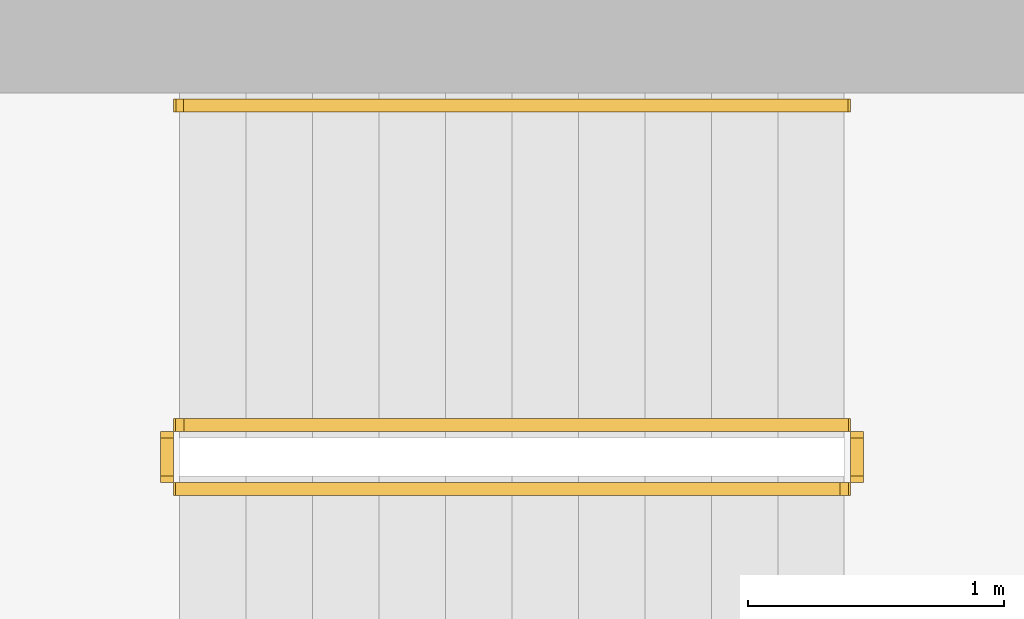
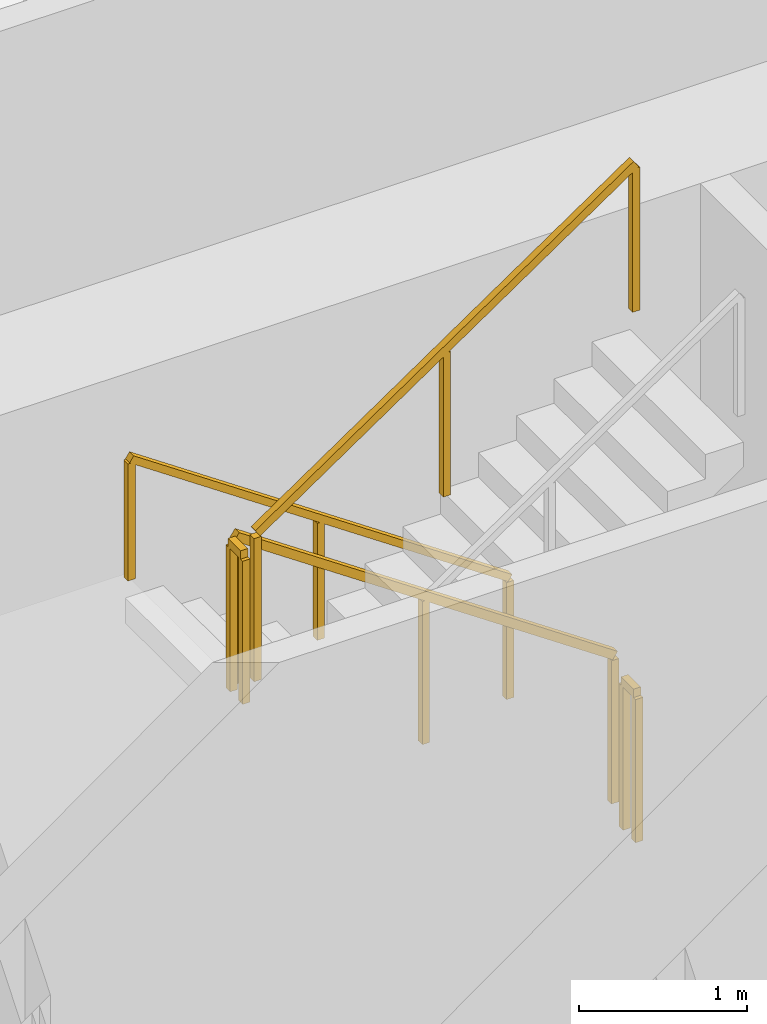
# One storey, part 13 of 14: 5 railings.
"""IFC4 building model written with IfcOpenShell, lengths in metres."""

import ifcopenshell
import ifcopenshell.guid

model = None  # the IFC model being written
_history = None  # IfcOwnerHistory: only IFC2X3 demands one
_inside = {}  # id of a spatial element -> (the spatial element, [elements in it])
_under = {}  # id of a project, library or spatial element -> (it, [spatial elements below it])
_declared = {}  # id of a project -> (the project, [libraries it declares])
_typed = {}  # id of a type object -> (the type object, [elements of that type])
_made_of = {}  # id of a material, layer set ... -> (it, [elements and type objects made of it])


def new_model(schema):
    """Start an empty IFC model of exactly this schema.

    Asked for "IFC4X3", IfcOpenShell would pick the latest addendum, in which some entities
    have other attributes; the version numbers below select the first issue.
    IFC2X3 requires an IfcOwnerHistory on every rooted entity: one is made here for all.
    """
    global model, _history
    if schema == "IFC4X3":
        model = ifcopenshell.file(schema_version=(4, 3, 0, 0))
    else:
        model = ifcopenshell.file(schema=schema)
    _inside.clear()
    _under.clear()
    _declared.clear()
    _typed.clear()
    _made_of.clear()
    _history = None
    if model.schema == "IFC2X3":
        org = make("IfcOrganization", Name="unknown")
        user = make(
            "IfcPersonAndOrganization",
            ThePerson=make("IfcPerson", FamilyName="unknown"),
            TheOrganization=org,
        )
        app = make(
            "IfcApplication",
            ApplicationDeveloper=org,
            Version="unknown",
            ApplicationFullName="unknown",
            ApplicationIdentifier="unknown",
        )
        _history = make(
            "IfcOwnerHistory",
            OwningUser=user,
            OwningApplication=app,
            ChangeAction="ADDED",
            CreationDate=0,
        )
    return model


def make(cls, **values):
    """One entity of the class cls with the attributes given. An attribute that is None is left unset."""
    return model.create_entity(
        cls, **{name: value for name, value in values.items() if value is not None}
    )


def rooted(cls, **values):
    """An entity with a GlobalId (a new one), such as an element, a storey or a relation."""
    return make(cls, GlobalId=ifcopenshell.guid.new(), OwnerHistory=_history, **values)


def si_unit(unit_type, name, prefix=None):
    """IfcSIUnit, for example si_unit("LENGTHUNIT", "METRE", prefix="MILLI")."""
    return make("IfcSIUnit", UnitType=unit_type, Prefix=prefix, Name=name)


def assignment(units):
    """IfcUnitAssignment: the units of a project."""
    return None if units is None else make("IfcUnitAssignment", Units=units)


def point(xyz):
    """IfcCartesianPoint."""
    return None if xyz is None else make("IfcCartesianPoint", Coordinates=xyz)


def direction(xyz):
    """IfcDirection."""
    return None if xyz is None else make("IfcDirection", DirectionRatios=xyz)


def frame(location, z_axis=None, x_axis=None):
    """IfcAxis2Placement3D, a coordinate frame: its origin and axes. An axis left out is left unset."""
    return make(
        "IfcAxis2Placement3D",
        Location=point(location),
        Axis=direction(z_axis),
        RefDirection=direction(x_axis),
    )


def frame_2d(location, x_axis=None):
    """IfcAxis2Placement2D, a coordinate frame in the plane: its origin and x axis."""
    return make(
        "IfcAxis2Placement2D", Location=point(location), RefDirection=direction(x_axis)
    )


def origin():
    """The frame at (0, 0, 0) with its axes left unset."""
    return frame((0.0, 0.0, 0.0))


def origin_2d():
    """The frame at (0, 0) in the plane with its x axis left unset."""
    return frame_2d((0.0, 0.0))


def place(relative_to, where):
    """IfcLocalPlacement: puts the frame where relative to a parent placement (None: the world)."""
    return make(
        "IfcLocalPlacement", PlacementRelTo=relative_to, RelativePlacement=where
    )


def context(
    kind, dimensions, precision=None, world=None, true_north=None, identifier=None
):
    """IfcGeometricRepresentationContext, for example the 3D "Model" context."""
    return make(
        "IfcGeometricRepresentationContext",
        ContextIdentifier=identifier,
        ContextType=kind,
        CoordinateSpaceDimension=dimensions,
        Precision=precision,
        WorldCoordinateSystem=world,
        TrueNorth=true_north,
    )


def subcontext(parent, identifier, kind, view, scale=None):
    """IfcGeometricRepresentationSubContext, for example "Body" below "Model"."""
    return make(
        "IfcGeometricRepresentationSubContext",
        ContextIdentifier=identifier,
        ContextType=kind,
        ParentContext=parent,
        TargetScale=scale,
        TargetView=view,
    )


def project(units=None, contexts=None):
    """IfcProject with its units and contexts."""
    return rooted(
        "IfcProject",
        Name="project",
        RepresentationContexts=contexts,
        UnitsInContext=assignment(units),
    )


def spatial(cls, under=None, at=None, **own):
    """A site, building, storey or space (cls), placed at a placement, below another one or the project."""
    s = rooted(cls, ObjectPlacement=at, **own)
    if under is not None:
        _under.setdefault(under.id(), (under, []))[1].append(s)
    return s


def profile(cls, at=None, kind="AREA", **sizes):
    """A parametric profile (cls). Its sizes go by their IFC names, for example OverallWidth=200.0."""
    return make(cls, ProfileType=kind, Position=at, **sizes)


def rectangle(**sizes):
    """IfcRectangleProfileDef."""
    return profile("IfcRectangleProfileDef", **sizes)


def extrude(swept, where, along, depth):
    """IfcExtrudedAreaSolid: the profile swept, set in the frame where, extruded along a direction by depth."""
    return make(
        "IfcExtrudedAreaSolid",
        SweptArea=swept,
        Position=where,
        ExtrudedDirection=direction(along),
        Depth=depth,
    )


def shape(context_of_items, identifier, shape_type, items):
    """IfcShapeRepresentation: the items that make up one representation, for example the "Body"."""
    return make(
        "IfcShapeRepresentation",
        ContextOfItems=context_of_items,
        RepresentationIdentifier=identifier,
        RepresentationType=shape_type,
        Items=items,
    )


def material(Name=None, Category=None):
    """IfcMaterial."""
    return make("IfcMaterial", Name=Name, Category=Category)


def made_of(thing, what):
    """Note that an element or type object is made of a material, layer set ...; save() writes the relation."""
    if what is not None:
        _made_of.setdefault(what.id(), (what, []))[1].append(thing)
    return thing


def type_object(cls, material=None, **own):
    """A type object (cls), such as IfcWallType, which elements share."""
    return made_of(rooted(cls, **own), material)


def element(
    cls,
    number,
    at=None,
    inside=None,
    cuts=None,
    type_object=None,
    material=None,
    context=None,
    identifier="Body",
    shape_type=None,
    held_by="IfcProductDefinitionShape",
    body=None,
    shapes=None,
    **own,
):
    """One element of the class cls, such as IfcWall. Its Tag is "e" and its number.

    at: its placement. inside: the storey or other place that contains it. cuts: it is an
    opening in that element (IfcRelVoidsElement). A single representation is given by context,
    identifier, shape_type and body (its items); several are given by shapes. held_by: the class
    of the entity that holds the representations. save() writes the other relations.
    """
    e = rooted(cls, Tag="e%d" % number, ObjectPlacement=at, **own)
    if body is not None:
        shapes = [shape(context, identifier, shape_type, body)]
    if shapes is not None:
        e.Representation = make(held_by, Representations=shapes)
    if inside is not None:
        _inside.setdefault(inside.id(), (inside, []))[1].append(e)
    if cuts is not None:
        rooted(
            "IfcRelVoidsElement", RelatingBuildingElement=cuts, RelatedOpeningElement=e
        )
    if type_object is not None:
        _typed.setdefault(type_object.id(), (type_object, []))[1].append(e)
    return made_of(e, material)


def aggregate(whole, parts):
    """IfcRelAggregates: a whole, such as a stair, and the parts it consists of."""
    return rooted("IfcRelAggregates", RelatingObject=whole, RelatedObjects=parts)


def save(model, path):
    """Write the relations noted so far, then the file.

    IfcRelAggregates (storeys below a building ...), IfcRelContainedInSpatialStructure (elements
    in a storey), IfcRelDefinesByType, IfcRelAssociatesMaterial and IfcRelDeclares: one each for
    every whole, place, type object, material and project.
    """
    for whole, parts in _under.values():
        aggregate(whole, parts)
    for where, things in _inside.values():
        rooted(
            "IfcRelContainedInSpatialStructure",
            RelatedElements=things,
            RelatingStructure=where,
        )
    for kind, things in _typed.values():
        rooted("IfcRelDefinesByType", RelatedObjects=things, RelatingType=kind)
    for what, things in _made_of.values():
        rooted("IfcRelAssociatesMaterial", RelatedObjects=things, RelatingMaterial=what)
    for by, libraries in _declared.values():
        rooted("IfcRelDeclares", RelatingContext=by, RelatedDefinitions=libraries)
    model.write(path)


model = new_model("IFC4")

# Units and contexts
model_context = context("Model", 3, precision=1e-05, world=origin(), true_north=direction((0.0, 1.0)))
body_context = subcontext(model_context, "Body", "Model", "MODEL_VIEW")
ifc_project = project(units=[si_unit("LENGTHUNIT", "METRE"), si_unit("AREAUNIT", "SQUARE_METRE"), si_unit("VOLUMEUNIT", "CUBIC_METRE"), si_unit("PLANEANGLEUNIT", "RADIAN"), si_unit("MASSUNIT", "GRAM", prefix="KILO")], contexts=[model_context])

# Site, building, storey
site_placement = place(None, origin())
site = spatial("IfcSite", under=ifc_project, at=site_placement, CompositionType="ELEMENT")
building_placement = place(site_placement, origin())
building = spatial("IfcBuilding", under=site, at=building_placement, Name="Khepri Terraces", CompositionType="ELEMENT")
storey_placement = place(building_placement, frame((0.0, 0.0, 69.89990234375)))
storey = spatial("IfcBuildingStorey", under=building, at=storey_placement, Name="L16", CompositionType="ELEMENT", Elevation=69.89990234375)

# Railings
ifc_material = material(Name="Stainless steel 316", Category="steel")
railing_type_1 = type_object("IfcRailingType", Name="RL-CORE-GUARD", PredefinedType="GUARDRAIL", material=ifc_material)
railing_1_placement = place(storey_placement, frame((-0.25, 8.800048828125, 0.177490234375)))
element("IfcRailing", 1, at=railing_1_placement, inside=storey, type_object=railing_type_1, Name="L16 ST-3 stair guard 1", PredefinedType="GUARDRAIL", context=body_context, shape_type="SweptSolid", body=[
    extrude(rectangle(XDim=0.050048828125, YDim=0.06005859375, at=origin_2d()), frame((0.0, 0.0, 1.070068359375), z_axis=(-0.826240473404, 0.0, 0.563317565952), x_axis=(0.0, -1.0, 0.0)), (0.0, 0.0, 1.0), 3.14697265625),
    extrude(rectangle(XDim=0.050048828125, YDim=0.050048828125, at=origin_2d()), origin(), (0.0, 0.0, 1.0), 1.0400390625),
    extrude(rectangle(XDim=0.050048828125, YDim=0.050048828125, at=origin_2d()), frame((-1.300048828125, 0.0, 0.88623046875)), (0.0, 0.0, 1.0), 1.0400390625),
    extrude(rectangle(XDim=0.050048828125, YDim=0.050048828125, at=origin_2d()), frame((-2.60009765625, 0.0, 1.772705078125)), (0.0, 0.0, 1.0), 1.0400390625),
])
railing_2_placement = place(storey_placement, frame((-2.89990234375, 8.75, 1.9501953125)))
element("IfcRailing", 2, at=railing_2_placement, inside=storey, type_object=railing_type_1, Name="L16 ST-3 stair guard 2", PredefinedType="GUARDRAIL", context=body_context, shape_type="SweptSolid", body=[
    extrude(rectangle(XDim=0.050048828125, YDim=0.06005859375, at=origin_2d()), frame((0.0, 0.0, 1.070068359375), z_axis=(0.0, -1.0, 0.0), x_axis=(1.0, 0.0, 0.0)), (0.0, 0.0, 1.0), 0.14990234375),
    extrude(rectangle(XDim=0.050048828125, YDim=0.050048828125, at=origin_2d()), origin(), (0.0, 0.0, 1.0), 1.0400390625),
    extrude(rectangle(XDim=0.050048828125, YDim=0.050048828125, at=origin_2d()), frame((0.0, -0.14990234375, 0.0)), (0.0, 0.0, 1.0), 1.0400390625),
])
railing_3_placement = place(storey_placement, frame((-2.85009765625, 8.550048828125, 2.12744140625)))
element("IfcRailing", 3, at=railing_3_placement, inside=storey, type_object=railing_type_1, Name="L16 ST-3 stair guard 3", PredefinedType="GUARDRAIL", context=body_context, shape_type="SweptSolid", body=[
    extrude(rectangle(XDim=0.050048828125, YDim=0.06005859375, at=origin_2d()), frame((0.0, 0.0, 1.070068359375), z_axis=(0.826240473404, 0.0, 0.563317565952), x_axis=(0.0, 1.0, 0.0)), (0.0, 0.0, 1.0), 3.14697265625),
    extrude(rectangle(XDim=0.050048828125, YDim=0.050048828125, at=origin_2d()), origin(), (0.0, 0.0, 1.0), 1.0400390625),
    extrude(rectangle(XDim=0.050048828125, YDim=0.050048828125, at=origin_2d()), frame((1.300048828125, 0.0, 0.88623046875)), (0.0, 0.0, 1.0), 1.0400390625),
    extrude(rectangle(XDim=0.050048828125, YDim=0.050048828125, at=origin_2d()), frame((2.60009765625, 0.0, 1.772705078125)), (0.0, 0.0, 1.0), 1.0400390625),
])
railing_4_placement = place(storey_placement, frame((-0.199951171875, 8.75, 0.0)))
element("IfcRailing", 4, at=railing_4_placement, inside=storey, type_object=railing_type_1, Name="L16 ST-3 stair guard 4", PredefinedType="GUARDRAIL", context=body_context, shape_type="SweptSolid", body=[
    extrude(rectangle(XDim=0.050048828125, YDim=0.06005859375, at=origin_2d()), frame((0.0, 0.0, 1.070068359375), z_axis=(0.0, -1.0, 0.0), x_axis=(1.0, 0.0, 0.0)), (0.0, 0.0, 1.0), 0.14990234375),
    extrude(rectangle(XDim=0.050048828125, YDim=0.050048828125, at=origin_2d()), origin(), (0.0, 0.0, 1.0), 1.0400390625),
    extrude(rectangle(XDim=0.050048828125, YDim=0.050048828125, at=origin_2d()), frame((0.0, -0.14990234375, 0.0)), (0.0, 0.0, 1.0), 1.0400390625),
])
railing_type_2 = type_object("IfcRailingType", Name="RL-CORE-HANDRAIL", PredefinedType="HANDRAIL", material=ifc_material)
railing_5_placement = place(storey_placement, frame((-0.25, 10.050048828125, 0.177490234375)))
element("IfcRailing", 5, at=railing_5_placement, inside=storey, type_object=railing_type_2, Name="L16 ST-3 stair handrail 1", PredefinedType="HANDRAIL", context=body_context, shape_type="SweptSolid", body=[
    extrude(rectangle(XDim=0.050048828125, YDim=0.050048828125, at=origin_2d()), frame((0.0, 0.0, 0.875), z_axis=(-0.826240473404, 0.0, 0.563317565952), x_axis=(0.0, -1.0, 0.0)), (0.0, 0.0, 1.0), 3.14697265625),
    extrude(rectangle(XDim=0.050048828125, YDim=0.050048828125, at=origin_2d()), origin(), (0.0, 0.0, 1.0), 0.849853515625),
    extrude(rectangle(XDim=0.050048828125, YDim=0.050048828125, at=origin_2d()), frame((-1.300048828125, 0.0, 0.88623046875)), (0.0, 0.0, 1.0), 0.849853515625),
    extrude(rectangle(XDim=0.050048828125, YDim=0.050048828125, at=origin_2d()), frame((-2.60009765625, 0.0, 1.772705078125)), (0.0, 0.0, 1.0), 0.849853515625),
])

save(model, "model.ifc")
